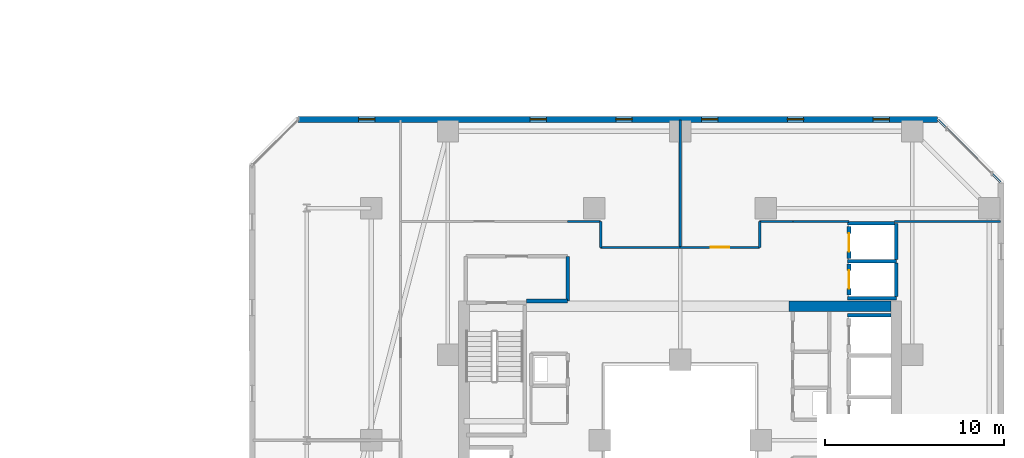
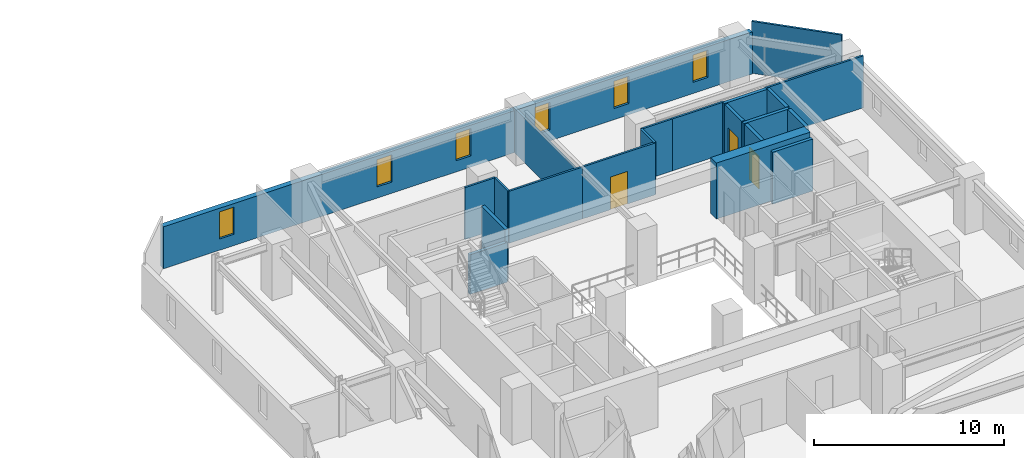
# One storey, part 26 of 33: 22 walls, 6 windows, 3 doors, 9 openings.
"""IFC4 building model written with IfcOpenShell, lengths in metres."""

from ifc_helpers import new_model, si_unit, direction, frame, frame_2d, origin, place, context, subcontext, project, spatial, rectangle, extrude, material, layer, layer_set, type_object, element, fill, save


model = new_model("IFC4")

# Units and contexts
model_context = context("Model", 3, precision=1e-05, world=origin(), true_north=direction((0.0, 1.0)))
body_context = subcontext(model_context, "Body", "Model", "MODEL_VIEW")
ifc_project = project(units=[si_unit("LENGTHUNIT", "METRE"), si_unit("AREAUNIT", "SQUARE_METRE"), si_unit("VOLUMEUNIT", "CUBIC_METRE"), si_unit("PLANEANGLEUNIT", "RADIAN"), si_unit("MASSUNIT", "GRAM", prefix="KILO")], contexts=[model_context])

# Site, building, storey
site_placement = place(None, origin())
site = spatial("IfcSite", under=ifc_project, at=site_placement, CompositionType="ELEMENT")
building_placement = place(site_placement, origin())
building = spatial("IfcBuilding", under=site, at=building_placement, Name="Thornwick Lancets Civic Towers", CompositionType="ELEMENT")
storey_placement = place(building_placement, frame((0.0, 0.0, 105.300048828125)))
storey = spatial("IfcBuildingStorey", under=building, at=storey_placement, Name="L27", CompositionType="ELEMENT", Elevation=105.300048828125)

# Wall, opening, door
ifc_material_1 = material(Name="Concrete blockwork C40/50", Category="masonry")
ifc_layer_1 = layer(ifc_material_1, 0.199951171875, Name="Concrete blockwork C40/50")
ifc_layer_set_1 = layer_set([ifc_layer_1], Name="Concrete blockwork C40/50")
wall_type_1 = type_object("IfcWallType", Name="WALL_COMP_200", PredefinedType="STANDARD", material=ifc_layer_set_1)
wall_1_placement = place(storey_placement, frame((97.949951171875, 36.8701171875, 0.0), z_axis=(0.0, 0.0, 1.0), x_axis=(0.0, -1.0, 0.0)))
wall_1 = element("IfcWall", 1, at=wall_1_placement, inside=storey, type_object=wall_type_1, Name="L27 Hoistway Front Wall PL-BL2", PredefinedType="STANDARD", context=body_context, shape_type="SweptSolid", body=[
    extrude(rectangle(XDim=1.740234375, YDim=0.199951171875, at=frame_2d((0.8701171875, 0.0))), origin(), (0.0, 0.0, 1.0), 3.33984375),
])
opening_1_placement = place(wall_1_placement, frame((0.360107421875, 0.0, 0.0)))
opening_1 = element("IfcOpeningElement", 2, at=opening_1_placement, cuts=wall_1, Name="Opening LD-PL-BL2", PredefinedType="OPENING", context=body_context, shape_type="SweptSolid", body=[
    extrude(rectangle(XDim=1.02001953125, YDim=2.06005859375, at=frame_2d((0.510009765625, 1.030029296875))), frame((0.0, 0.10986328125, 0.0), z_axis=(0.0, -1.0, 0.0), x_axis=(1.0, 0.0, 0.0)), (0.0, 0.0, 1.0), 0.219970703125),
])
ifc_material_2 = material(Name="Brushed bronze stainless steel", Category="steel")
door_type_1 = type_object("IfcDoorType", Name="DOOR_LIFT_SLIDE", OperationType="SLIDING_TO_LEFT", PredefinedType="DOOR", material=ifc_material_2)
door_1_placement = place(opening_1_placement, origin())
door_1 = element("IfcDoor", 3, at=door_1_placement, inside=storey, type_object=door_type_1, Name="L27 Sliding Lift Landing Door LD-PL-BL2", OperationType="SLIDING_TO_LEFT", OverallHeight=2.06005859375, OverallWidth=1.02001953125, PredefinedType="DOOR", context=body_context, shape_type="SweptSolid", body=[
    extrude(rectangle(XDim=1.02001953125, YDim=2.06005859375, at=frame_2d((0.510009765625, 1.030029296875))), frame((0.0, 0.02490234375, 0.0), z_axis=(0.0, -1.0, 0.0), x_axis=(1.0, 0.0, 0.0)), (0.0, 0.0, 1.0), 0.050048828125),
])
fill(opening_1, door_1)

wall_2_placement = place(storey_placement, frame((97.949951171875, 38.969970703125, 0.0), z_axis=(0.0, 0.0, 1.0), x_axis=(0.0, -1.0, 0.0)))
wall_2 = element("IfcWall", 4, at=wall_2_placement, inside=storey, type_object=wall_type_1, Name="L27 Hoistway Front Wall PL-BL3", PredefinedType="STANDARD", context=body_context, shape_type="SweptSolid", body=[
    extrude(rectangle(XDim=1.7900390625, YDim=0.199951171875, at=frame_2d((0.89501953125, 0.0))), origin(), (0.0, 0.0, 1.0), 3.33984375),
])
opening_2_placement = place(wall_2_placement, frame((0.385009765625, 0.0, 0.0)))
opening_2 = element("IfcOpeningElement", 5, at=opening_2_placement, cuts=wall_2, Name="Opening LD-PL-BL3", PredefinedType="OPENING", context=body_context, shape_type="SweptSolid", body=[
    extrude(rectangle(XDim=1.02001953125, YDim=2.06005859375, at=frame_2d((0.510009765625, 1.030029296875))), frame((0.0, 0.10986328125, 0.0), z_axis=(0.0, -1.0, 0.0), x_axis=(1.0, 0.0, 0.0)), (0.0, 0.0, 1.0), 0.219970703125),
])
door_2_placement = place(opening_2_placement, origin())
door_2 = element("IfcDoor", 6, at=door_2_placement, inside=storey, type_object=door_type_1, Name="L27 Sliding Lift Landing Door LD-PL-BL3", OperationType="SLIDING_TO_LEFT", OverallHeight=2.06005859375, OverallWidth=1.02001953125, PredefinedType="DOOR", context=body_context, shape_type="SweptSolid", body=[
    extrude(rectangle(XDim=1.02001953125, YDim=2.06005859375, at=frame_2d((0.510009765625, 1.030029296875))), frame((0.0, 0.02490234375, 0.0), z_axis=(0.0, -1.0, 0.0), x_axis=(1.0, 0.0, 0.0)), (0.0, 0.0, 1.0), 0.050048828125),
])
fill(opening_2, door_2)

# Walls
wall_3_placement = place(storey_placement, frame((97.85205078125, 34.0, 0.0), z_axis=(0.0, 0.0, 1.0), x_axis=(1.0, 0.0, 0.0)))
element("IfcWall", 7, at=wall_3_placement, inside=storey, type_object=wall_type_1, Name="L27 Hoistway Shaft Wall PL-BL1 N", PredefinedType="STANDARD", context=body_context, shape_type="SweptSolid", body=[
    extrude(rectangle(XDim=2.43603515625, YDim=0.199951171875, at=frame_2d((1.218017578125, 0.0))), origin(), (0.0, 0.0, 1.0), 3.33984375),
])
for number, where, z_axis, x_axis, name in (
    (8, (97.85205078125, 37.02490234375, 0.0), (0.0, 0.0, 1.0), (1.0, 0.0, 0.0), "L27 Hoistway Shaft Wall PL-BL2 N"),
    (9, (97.85205078125, 34.949951171875, 0.0), (0.0, 0.0, 1.0), (1.0, 0.0, 0.0), "L27 Hoistway Shaft Wall PL-BL2 S"),
):
    element("IfcWall", number, at=place(storey_placement, frame(where, z_axis=z_axis, x_axis=x_axis)), inside=storey, type_object=wall_type_1, Name=name, PredefinedType="STANDARD", context=body_context, shape_type="SweptSolid", body=[
        extrude(rectangle(XDim=2.745849609375, YDim=0.199951171875, at=frame_2d((1.373046875, 0.0))), origin(), (0.0, 0.0, 1.0), 3.33984375),
    ])
wall_4_placement = place(storey_placement, frame((100.60009765625, 35.06201171875, 0.0), z_axis=(0.0, 0.0, 1.0), x_axis=(0.0, 1.0, 0.0)))
element("IfcWall", 10, at=wall_4_placement, inside=storey, type_object=wall_type_1, Name="L27 Hoistway Shaft Wall PL-BL2 E", PredefinedType="STANDARD", context=body_context, shape_type="SweptSolid", body=[
    extrude(rectangle(XDim=1.85595703125, YDim=0.199951171875, at=frame_2d((0.927978515625, 0.0))), origin(), (0.0, 0.0, 1.0), 3.33984375),
])
wall_5_placement = place(storey_placement, frame((100.60009765625, 37.132080078125, 0.0), z_axis=(0.0, 0.0, 1.0), x_axis=(0.0, 1.0, 0.0)))
element("IfcWall", 11, at=wall_5_placement, inside=storey, type_object=wall_type_1, Name="L27 Hoistway Shaft Wall PL-BL2 E", PredefinedType="STANDARD", context=body_context, shape_type="SweptSolid", body=[
    extrude(rectangle(XDim=2.015869140625, YDim=0.199951171875, at=frame_2d((1.0078125, 0.0))), origin(), (0.0, 0.0, 1.0), 3.33984375),
])
wall_6_placement = place(storey_placement, frame((97.85205078125, 39.14990234375, 0.0), z_axis=(0.0, 0.0, 1.0), x_axis=(1.0, 0.0, 0.0)))
element("IfcWall", 12, at=wall_6_placement, inside=storey, type_object=wall_type_1, Name="L27 Hoistway Shaft Wall PL-BL3 N", PredefinedType="STANDARD", context=body_context, shape_type="SweptSolid", body=[
    extrude(rectangle(XDim=2.635986328125, YDim=0.199951171875, at=frame_2d((1.31787109375, 0.0))), origin(), (0.0, 0.0, 1.0), 3.33984375),
])
wall_7_placement = place(storey_placement, frame((79.89990234375, 34.800048828125, 0.0), z_axis=(0.0, 0.0, 1.0), x_axis=(1.0, 0.0, 0.0)))
element("IfcWall", 13, at=wall_7_placement, inside=storey, type_object=wall_type_1, Name="L27 Partition L27-B-FFLOB2 E1", PredefinedType="STANDARD", context=body_context, shape_type="SweptSolid", body=[
    extrude(rectangle(XDim=2.300048828125, YDim=0.199951171875, at=frame_2d((1.14990234375, 0.0))), origin(), (0.0, 0.0, 1.0), 2.544921875),
])
wall_8_placement = place(storey_placement, frame((82.199951171875, 34.800048828125, 0.0), z_axis=(0.0, 0.0, 1.0), x_axis=(0.0, 1.0, 0.0)))
element("IfcWall", 14, at=wall_8_placement, inside=storey, type_object=wall_type_1, Name="L27 Partition L27-B-FFLOB2 E2", PredefinedType="STANDARD", context=body_context, shape_type="SweptSolid", body=[
    extrude(rectangle(XDim=2.5, YDim=0.199951171875, at=frame_2d((1.25, 0.0))), origin(), (0.0, 0.0, 1.0), 3.33984375),
])
ifc_material_3 = material(Name="Concrete C60/75", Category="concrete")
ifc_layer_2 = layer(ifc_material_3, 0.60009765625, Name="Concrete C60/75")
ifc_layer_set_2 = layer_set([ifc_layer_2], Name="Concrete C60/75")
wall_type_2 = type_object("IfcWallType", Name="WALL_CORE_600", PredefinedType="SHEAR", material=ifc_layer_set_2)
wall_9_placement = place(storey_placement, frame((94.60009765625, 34.5, 0.0), z_axis=(0.0, 0.0, 1.0), x_axis=(1.0, 0.0, 0.0)))
element("IfcWall", 15, at=wall_9_placement, inside=storey, type_object=wall_type_2, Name="L27 Split Core B1 Shear Wall N", PredefinedType="SHEAR", context=body_context, shape_type="SweptSolid", body=[
    extrude(rectangle(XDim=5.699951171875, YDim=0.60009765625, at=frame_2d((2.85009765625, 0.0))), origin(), (0.0, 0.0, 1.0), 3.599853515625),
])

# Wall, openings, windows
ifc_material_4 = material(Name="Insulated buff terracotta rainscreen on concrete C40/50", Category="masonry")
ifc_layer_3 = layer(ifc_material_4, 0.320068359375, Name="Insulated buff terracotta rainscreen on concrete C40/50")
ifc_layer_set_3 = layer_set([ifc_layer_3], Name="Insulated buff terracotta rainscreen on concrete C40/50")
wall_type_3 = type_object("IfcWallType", Name="WALL_EXT_TERRA_320", PredefinedType="STANDARD", material=ifc_layer_set_3)
wall_10_placement = place(storey_placement, frame((102.903076171875, 44.96142578125, 0.0), z_axis=(0.0, 0.0, 1.0), x_axis=(-0.999999996067, 8.8693006e-05, 0.0)))
wall_10 = element("IfcWall", 16, at=wall_10_placement, inside=storey, type_object=wall_type_3, Name="L27 Tower B Terracotta Facade Wall E4", PredefinedType="STANDARD", context=body_context, shape_type="SweptSolid", body=[
    extrude(rectangle(XDim=35.784423828125, YDim=0.320068359375, at=frame_2d((17.89208984375, 0.0))), origin(), (0.0, 0.0, 1.0), 2.699951171875),
])
opening_3_placement = place(wall_10_placement, frame((2.699951171875, 0.0, 0.719970703125)))
opening_3 = element("IfcOpeningElement", 17, at=opening_3_placement, cuts=wall_10, Name="Opening WL-01", PredefinedType="OPENING", context=body_context, shape_type="SweptSolid", body=[
    extrude(rectangle(XDim=0.89990234375, YDim=1.75, at=frame_2d((0.449951171875, 0.875))), frame((0.0, 0.169921875, 0.0), z_axis=(0.0, -1.0, 0.0), x_axis=(1.0, 0.0, 0.0)), (0.0, 0.0, 1.0), 0.340087890625),
])
opening_4_placement = place(wall_10_placement, frame((7.5, 0.0, 0.719970703125)))
opening_4 = element("IfcOpeningElement", 18, at=opening_4_placement, cuts=wall_10, Name="Opening WL-01", PredefinedType="OPENING", context=body_context, shape_type="SweptSolid", body=[
    extrude(rectangle(XDim=0.89990234375, YDim=1.75, at=frame_2d((0.449951171875, 0.875))), frame((0.0, 0.169921875, 0.0), z_axis=(0.0, -1.0, 0.0), x_axis=(1.0, 0.0, 0.0)), (0.0, 0.0, 1.0), 0.340087890625),
])
opening_5_placement = place(wall_10_placement, frame((12.300048828125, 0.0, 0.719970703125)))
opening_5 = element("IfcOpeningElement", 19, at=opening_5_placement, cuts=wall_10, Name="Opening WL-01", PredefinedType="OPENING", context=body_context, shape_type="SweptSolid", body=[
    extrude(rectangle(XDim=0.89990234375, YDim=1.75, at=frame_2d((0.449951171875, 0.875))), frame((0.0, 0.169921875, 0.0), z_axis=(0.0, -1.0, 0.0), x_axis=(1.0, 0.0, 0.0)), (0.0, 0.0, 1.0), 0.340087890625),
])
opening_6_placement = place(wall_10_placement, frame((17.10009765625, 0.0, 0.719970703125)))
opening_6 = element("IfcOpeningElement", 20, at=opening_6_placement, cuts=wall_10, Name="Opening WL-01", PredefinedType="OPENING", context=body_context, shape_type="SweptSolid", body=[
    extrude(rectangle(XDim=0.89990234375, YDim=1.75, at=frame_2d((0.449951171875, 0.875))), frame((0.0, 0.169921875, 0.0), z_axis=(0.0, -1.0, 0.0), x_axis=(1.0, 0.0, 0.0)), (0.0, 0.0, 1.0), 0.340087890625),
])
opening_7_placement = place(wall_10_placement, frame((21.89990234375, 0.0, 0.719970703125)))
opening_7 = element("IfcOpeningElement", 21, at=opening_7_placement, cuts=wall_10, Name="Opening WL-01", PredefinedType="OPENING", context=body_context, shape_type="SweptSolid", body=[
    extrude(rectangle(XDim=0.89990234375, YDim=1.75, at=frame_2d((0.449951171875, 0.875))), frame((0.0, 0.169921875, 0.0), z_axis=(0.0, -1.0, 0.0), x_axis=(1.0, 0.0, 0.0)), (0.0, 0.0, 1.0), 0.340087890625),
])
opening_8_placement = place(wall_10_placement, frame((31.5, 0.0, 0.719970703125)))
opening_8 = element("IfcOpeningElement", 22, at=opening_8_placement, cuts=wall_10, Name="Opening WL-01", PredefinedType="OPENING", context=body_context, shape_type="SweptSolid", body=[
    extrude(rectangle(XDim=0.89990234375, YDim=1.75, at=frame_2d((0.449951171875, 0.875))), frame((0.0, 0.169921875, 0.0), z_axis=(0.0, -1.0, 0.0), x_axis=(1.0, 0.0, 0.0)), (0.0, 0.0, 1.0), 0.340087890625),
])
ifc_material_5 = material(Name="Clear low-e double glazing in bronze frame", Category="glass")
window_type = type_object("IfcWindowType", Name="WIN_LANCET_900", PartitioningType="SINGLE_PANEL", PredefinedType="WINDOW", material=ifc_material_5)
window_1_placement = place(opening_3_placement, origin())
window_1 = element("IfcWindow", 23, at=window_1_placement, inside=storey, type_object=window_type, Name="L27 Tower B Staggered Lancet Window E4-1", OverallHeight=1.75, OverallWidth=0.89990234375, PartitioningType="SINGLE_PANEL", PredefinedType="WINDOW", context=body_context, shape_type="SweptSolid", body=[
    extrude(rectangle(XDim=0.89990234375, YDim=1.75, at=frame_2d((0.449951171875, 0.875))), frame((0.0, 0.030029296875, 0.0), z_axis=(0.0, -1.0, 0.0), x_axis=(1.0, 0.0, 0.0)), (0.0, 0.0, 1.0), 0.06005859375),
])
fill(opening_3, window_1)
window_2_placement = place(opening_4_placement, origin())
window_2 = element("IfcWindow", 24, at=window_2_placement, inside=storey, type_object=window_type, Name="L27 Tower B Staggered Lancet Window E4-2", OverallHeight=1.75, OverallWidth=0.89990234375, PartitioningType="SINGLE_PANEL", PredefinedType="WINDOW", context=body_context, shape_type="SweptSolid", body=[
    extrude(rectangle(XDim=0.89990234375, YDim=1.75, at=frame_2d((0.449951171875, 0.875))), frame((0.0, 0.030029296875, 0.0), z_axis=(0.0, -1.0, 0.0), x_axis=(1.0, 0.0, 0.0)), (0.0, 0.0, 1.0), 0.06005859375),
])
fill(opening_4, window_2)
window_3_placement = place(opening_5_placement, origin())
window_3 = element("IfcWindow", 25, at=window_3_placement, inside=storey, type_object=window_type, Name="L27 Tower B Staggered Lancet Window E4-3", OverallHeight=1.75, OverallWidth=0.89990234375, PartitioningType="SINGLE_PANEL", PredefinedType="WINDOW", context=body_context, shape_type="SweptSolid", body=[
    extrude(rectangle(XDim=0.89990234375, YDim=1.75, at=frame_2d((0.449951171875, 0.875))), frame((0.0, 0.030029296875, 0.0), z_axis=(0.0, -1.0, 0.0), x_axis=(1.0, 0.0, 0.0)), (0.0, 0.0, 1.0), 0.06005859375),
])
fill(opening_5, window_3)
window_4_placement = place(opening_6_placement, origin())
window_4 = element("IfcWindow", 26, at=window_4_placement, inside=storey, type_object=window_type, Name="L27 Tower B Staggered Lancet Window E4-4", OverallHeight=1.75, OverallWidth=0.89990234375, PartitioningType="SINGLE_PANEL", PredefinedType="WINDOW", context=body_context, shape_type="SweptSolid", body=[
    extrude(rectangle(XDim=0.89990234375, YDim=1.75, at=frame_2d((0.449951171875, 0.875))), frame((0.0, 0.030029296875, 0.0), z_axis=(0.0, -1.0, 0.0), x_axis=(1.0, 0.0, 0.0)), (0.0, 0.0, 1.0), 0.06005859375),
])
fill(opening_6, window_4)
window_5_placement = place(opening_7_placement, origin())
window_5 = element("IfcWindow", 27, at=window_5_placement, inside=storey, type_object=window_type, Name="L27 Tower B Staggered Lancet Window E4-5", OverallHeight=1.75, OverallWidth=0.89990234375, PartitioningType="SINGLE_PANEL", PredefinedType="WINDOW", context=body_context, shape_type="SweptSolid", body=[
    extrude(rectangle(XDim=0.89990234375, YDim=1.75, at=frame_2d((0.449951171875, 0.875))), frame((0.0, 0.030029296875, 0.0), z_axis=(0.0, -1.0, 0.0), x_axis=(1.0, 0.0, 0.0)), (0.0, 0.0, 1.0), 0.06005859375),
])
fill(opening_7, window_5)
window_6_placement = place(opening_8_placement, origin())
window_6 = element("IfcWindow", 28, at=window_6_placement, inside=storey, type_object=window_type, Name="L27 Tower B Staggered Lancet Window E4-6", OverallHeight=1.75, OverallWidth=0.89990234375, PartitioningType="SINGLE_PANEL", PredefinedType="WINDOW", context=body_context, shape_type="SweptSolid", body=[
    extrude(rectangle(XDim=0.89990234375, YDim=1.75, at=frame_2d((0.449951171875, 0.875))), frame((0.0, 0.030029296875, 0.0), z_axis=(0.0, -1.0, 0.0), x_axis=(1.0, 0.0, 0.0)), (0.0, 0.0, 1.0), 0.06005859375),
])
fill(opening_8, window_6)

# Walls
ifc_material_6 = material(Name="Acoustic gypsum board partition")
ifc_layer_4 = layer(ifc_material_6, 0.1201171875, Name="Acoustic gypsum board partition")
ifc_layer_set_4 = layer_set([ifc_layer_4], Name="Acoustic gypsum board partition")
wall_type_4 = type_object("IfcWallType", Name="WALL_PART_120", PredefinedType="PARTITIONING", material=ifc_layer_set_4)
wall_11_placement = place(storey_placement, frame((106.419921875, 39.25, 0.0), z_axis=(0.0, 0.0, 1.0), x_axis=(-1.0, 0.0, 0.0)))
element("IfcWall", 29, at=wall_11_placement, inside=storey, type_object=wall_type_4, Name="L27 Partition L27-B-E1 E2", PredefinedType="PARTITIONING", context=body_context, shape_type="SweptSolid", body=[
    extrude(rectangle(XDim=5.931884765625, YDim=0.1201171875, at=frame_2d((2.9658203125, 0.0))), origin(), (0.0, 0.0, 1.0), 3.33984375),
])
wall_12_placement = place(storey_placement, frame((97.949951171875, 39.25, 0.0), z_axis=(0.0, 0.0, 1.0), x_axis=(-1.0, 0.0, 0.0)))
element("IfcWall", 30, at=wall_12_placement, inside=storey, type_object=wall_type_4, Name="L27 Partition L27-B-E1 E3", PredefinedType="PARTITIONING", context=body_context, shape_type="SweptSolid", body=[
    extrude(rectangle(XDim=3.14990234375, YDim=0.1201171875, at=frame_2d((1.574951171875, 0.0))), origin(), (0.0, 0.0, 1.0), 3.33984375),
])
wall_13_placement = place(storey_placement, frame((94.800048828125, 39.25, 0.0), z_axis=(0.0, 0.0, 1.0), x_axis=(-1.0, 0.0, 0.0)))
element("IfcWall", 31, at=wall_13_placement, inside=storey, type_object=wall_type_4, Name="L27 Partition L27-B-E1 E4", PredefinedType="PARTITIONING", context=body_context, shape_type="SweptSolid", body=[
    extrude(rectangle(XDim=1.85009765625, YDim=0.1201171875, at=frame_2d((0.925048828125, 0.0))), origin(), (0.0, 0.0, 1.0), 3.33984375),
])
wall_14_placement = place(storey_placement, frame((92.949951171875, 39.25, 0.0), z_axis=(0.0, 0.0, 1.0), x_axis=(0.0, -1.0, 0.0)))
element("IfcWall", 32, at=wall_14_placement, inside=storey, type_object=wall_type_4, Name="L27 Partition L27-B-E1 E5", PredefinedType="PARTITIONING", context=body_context, shape_type="SweptSolid", body=[
    extrude(rectangle(XDim=1.449951171875, YDim=0.1201171875, at=frame_2d((0.72509765625, 0.0))), origin(), (0.0, 0.0, 1.0), 3.33984375),
])

# Wall, opening, door
wall_15_placement = place(storey_placement, frame((92.949951171875, 37.800048828125, 0.0), z_axis=(0.0, 0.0, 1.0), x_axis=(-1.0, 0.0, 0.0)))
wall_15 = element("IfcWall", 33, at=wall_15_placement, inside=storey, type_object=wall_type_4, Name="L27 Partition L27-B-E1 E6", PredefinedType="PARTITIONING", context=body_context, shape_type="SweptSolid", body=[
    extrude(rectangle(XDim=4.449951171875, YDim=0.1201171875, at=frame_2d((2.22509765625, 0.0))), origin(), (0.0, 0.0, 1.0), 3.33984375),
])
opening_9_placement = place(wall_15_placement, frame((1.699951171875, 0.0, 0.0)))
opening_9 = element("IfcOpeningElement", 34, at=opening_9_placement, cuts=wall_15, Name="Opening D-L27-1265", PredefinedType="OPENING", context=body_context, shape_type="SweptSolid", body=[
    extrude(rectangle(XDim=1.050048828125, YDim=2.10009765625, at=frame_2d((0.52490234375, 1.050048828125))), frame((0.0, 0.070068359375, 0.0), z_axis=(0.0, -1.0, 0.0), x_axis=(1.0, 0.0, 0.0)), (0.0, 0.0, 1.0), 0.14013671875),
])
ifc_material_7 = material(Name="Glazed European oak executive doorset")
door_type_2 = type_object("IfcDoorType", Name="DOOR_OFFICE_1050", OperationType="NOTDEFINED", PredefinedType="DOOR", material=ifc_material_7)
door_3_placement = place(opening_9_placement, origin())
door_3 = element("IfcDoor", 35, at=door_3_placement, inside=storey, type_object=door_type_2, Name="L27 Tower B Secretariat Open Office E1 Door", OperationType="SINGLE_SWING_RIGHT", OverallHeight=2.10009765625, OverallWidth=1.050048828125, PredefinedType="DOOR", context=body_context, shape_type="SweptSolid", body=[
    extrude(rectangle(XDim=1.050048828125, YDim=2.10009765625, at=frame_2d((0.52490234375, 1.050048828125))), frame((0.0, 0.02490234375, 0.0), z_axis=(0.0, -1.0, 0.0), x_axis=(1.0, 0.0, 0.0)), (0.0, 0.0, 1.0), 0.050048828125),
])
fill(opening_9, door_3)

# Walls
wall_16_placement = place(storey_placement, frame((88.5, 37.800048828125, 0.0), z_axis=(0.0, 0.0, 1.0), x_axis=(0.0, 1.0, 0.0)))
element("IfcWall", 36, at=wall_16_placement, inside=storey, type_object=wall_type_4, Name="L27 Partition L27-B-E1 E7", PredefinedType="PARTITIONING", context=body_context, shape_type="SweptSolid", body=[
    extrude(rectangle(XDim=7.119873046875, YDim=0.1201171875, at=frame_2d((3.56005859375, 0.0))), origin(), (0.0, 0.0, 1.0), 2.877685546875),
])
wall_17_placement = place(storey_placement, frame((102.943359375, 44.919921875, 0.0), z_axis=(0.0, 0.0, 1.0), x_axis=(0.707106781187, -0.707106781187, 0.0)))
element("IfcWall", 37, at=wall_17_placement, inside=storey, type_object=wall_type_4, Name="L27 Partition L27-B-E1 E9", PredefinedType="PARTITIONING", context=body_context, shape_type="SweptSolid", body=[
    extrude(rectangle(XDim=4.91650390625, YDim=0.1201171875, at=frame_2d((2.458251953125, 0.0))), origin(), (0.0, 0.0, 1.0), 3.33984375),
])
wall_18_placement = place(storey_placement, frame((84.050048828125, 37.800048828125, 0.0), z_axis=(0.0, 0.0, 1.0), x_axis=(0.0, 1.0, 0.0)))
element("IfcWall", 38, at=wall_18_placement, inside=storey, type_object=wall_type_4, Name="L27 Partition L27-B-E2 E1", PredefinedType="PARTITIONING", context=body_context, shape_type="SweptSolid", body=[
    extrude(rectangle(XDim=1.449951171875, YDim=0.1201171875, at=frame_2d((0.72509765625, 0.0))), origin(), (0.0, 0.0, 1.0), 3.33984375),
])
wall_19_placement = place(storey_placement, frame((84.050048828125, 39.25, 0.0), z_axis=(0.0, 0.0, 1.0), x_axis=(-1.0, 0.0, 0.0)))
element("IfcWall", 39, at=wall_19_placement, inside=storey, type_object=wall_type_4, Name="L27 Partition L27-B-E2 E2", PredefinedType="PARTITIONING", context=body_context, shape_type="SweptSolid", body=[
    extrude(rectangle(XDim=1.85009765625, YDim=0.1201171875, at=frame_2d((0.925048828125, 0.0))), origin(), (0.0, 0.0, 1.0), 3.33984375),
])
wall_20_placement = place(storey_placement, frame((88.5, 37.800048828125, 0.0), z_axis=(0.0, 0.0, 1.0), x_axis=(-1.0, 0.0, 0.0)))
element("IfcWall", 40, at=wall_20_placement, inside=storey, type_object=wall_type_4, Name="L27 Partition L27-B-E2 E7", PredefinedType="PARTITIONING", context=body_context, shape_type="SweptSolid", body=[
    extrude(rectangle(XDim=4.449951171875, YDim=0.1201171875, at=frame_2d((2.22509765625, 0.0))), origin(), (0.0, 0.0, 1.0), 3.33984375),
])

save(model, "model.ifc")
